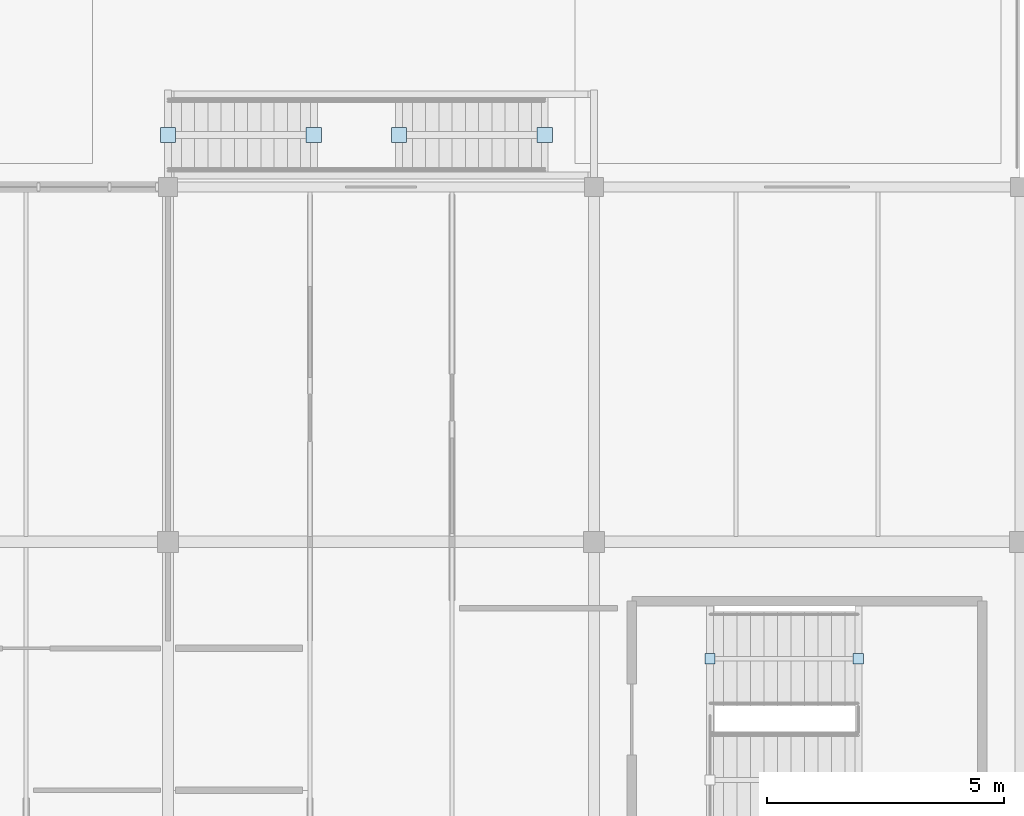
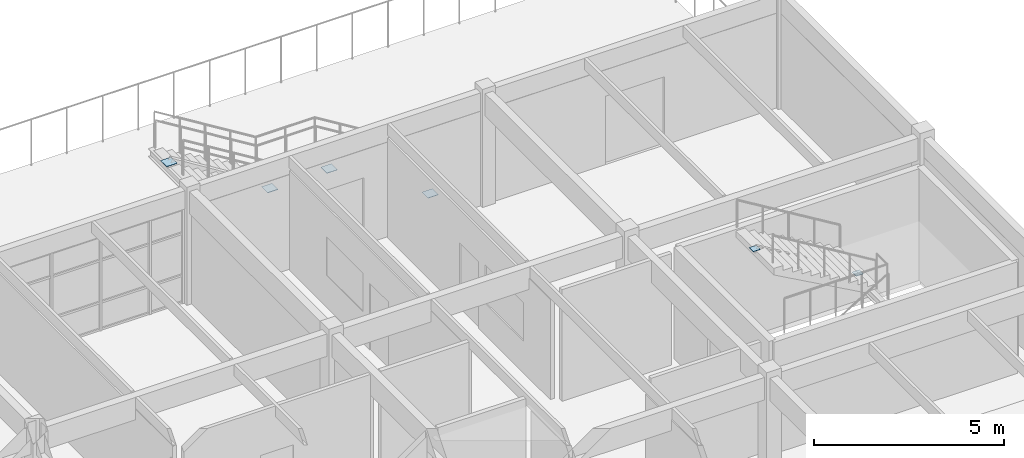
# One storey, part 35 of 45: 6 plates.
"""IFC4 building model written with IfcOpenShell, lengths in metres."""

from ifc_helpers import new_model, si_unit, direction, frame, origin, origin_2d, place, context, subcontext, project, spatial, rectangle, extrude, material, layer, layer_set, type_object, element, save


model = new_model("IFC4")

# Units and contexts
model_context = context("Model", 3, precision=1e-05, world=origin(), true_north=direction((0.0, 1.0)))
body_context = subcontext(model_context, "Body", "Model", "MODEL_VIEW")
ifc_project = project(units=[si_unit("LENGTHUNIT", "METRE"), si_unit("AREAUNIT", "SQUARE_METRE"), si_unit("VOLUMEUNIT", "CUBIC_METRE"), si_unit("PLANEANGLEUNIT", "RADIAN"), si_unit("MASSUNIT", "GRAM", prefix="KILO")], contexts=[model_context])

# Site, building, storey
site_placement = place(None, origin())
site = spatial("IfcSite", under=ifc_project, at=site_placement, CompositionType="ELEMENT")
building_placement = place(site_placement, origin())
building = spatial("IfcBuilding", under=site, at=building_placement, Name="Marnridge Secondary College", CompositionType="ELEMENT")
storey_placement = place(building_placement, frame((0.0, 0.0, 12.300048828125)))
storey = spatial("IfcBuildingStorey", under=building, at=storey_placement, Name="L03", CompositionType="ELEMENT", Elevation=12.300048828125)

# Plates
ifc_material_1 = material(Name="Structural steel plate Grade 350 (AS/NZS 3678, fy = 350 MPa <=12mm, 340 MPa 12-20mm, 330 MPa 20-50mm)", Category="steel")
ifc_layer_1 = layer(ifc_material_1, 0.011962890625)
ifc_layer_set_1 = layer_set([ifc_layer_1], Name="PT-CAP-EXT")
plate_type_1 = type_object("IfcPlateType", Name="PT-CAP-EXT", PredefinedType="SHEET", material=ifc_layer_set_1)
for number, where, z_axis, x_axis, name in (
    (1, (79.958251953125, 76.10009765625, -0.044921875), (0.0, 0.0, 1.0), (-1.0, 0.0, 0.0), "Tube end cap STR-063-EC1"),
    (2, (76.881591796875, 76.10009765625, 1.8330078125), (0.0, 0.0, 1.0), (-1.0, 0.0, 0.0), "Tube end cap STR-063-EC2"),
    (3, (75.078369140625, 76.10009765625, 1.8349609375), (0.0, 0.0, 1.0), (-1.0, 0.0, 0.0), "Tube end cap STR-064-EC1"),
    (4, (72.001708984375, 76.10009765625, 3.7529296875), (0.0, 0.0, 1.0), (-1.0, 0.0, 0.0), "Tube end cap STR-064-EC2"),
):
    element("IfcPlate", number, at=place(storey_placement, frame(where, z_axis=z_axis, x_axis=x_axis)), inside=storey, type_object=plate_type_1, Name=name, PredefinedType="SHEET", context=body_context, shape_type="SweptSolid", body=[
        extrude(rectangle(XDim=0.320068359375, YDim=0.320068359375, at=origin_2d()), origin(), (0.0, 0.0, 1.0), 0.011962890625),
    ])
ifc_material_2 = material(Name="Structural steel plate Grade 350 (AS/NZS 3678, fy = 350 MPa <=12mm, 340 MPa 12-20mm, 330 MPa 20-50mm)", Category="steel")
ifc_layer_2 = layer(ifc_material_2, 0.010009765625)
ifc_layer_set_2 = layer_set([ifc_layer_2], Name="PT-CAP-INT")
plate_type_2 = type_object("IfcPlateType", Name="PT-CAP-INT", PredefinedType="SHEET", material=ifc_layer_set_2)
for number, where, z_axis, x_axis, name in (
    (5, (86.583251953125, 65.030029296875, 1.7880859375), (0.0, 0.0, 1.0), (-1.0, 0.0, 0.0), "Tube end cap STR-018-EC1"),
    (6, (83.45166015625, 65.030029296875, 3.67578125), (0.0, 0.0, 1.0), (-1.0, 0.0, 0.0), "Tube end cap STR-018-EC2"),
):
    element("IfcPlate", number, at=place(storey_placement, frame(where, z_axis=z_axis, x_axis=x_axis)), inside=storey, type_object=plate_type_2, Name=name, PredefinedType="SHEET", context=body_context, shape_type="SweptSolid", body=[
        extrude(rectangle(XDim=0.219970703125, YDim=0.219970703125, at=origin_2d()), origin(), (0.0, 0.0, 1.0), 0.010009765625),
    ])

save(model, "model.ifc")
